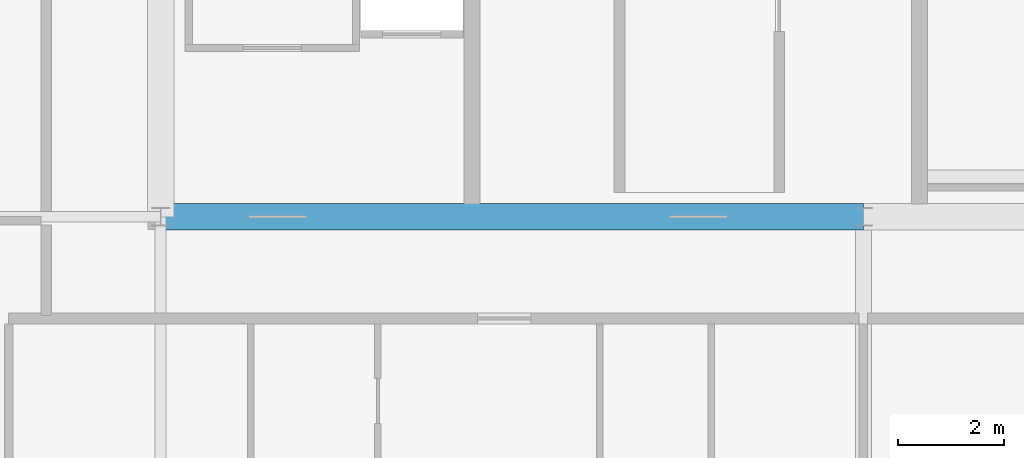
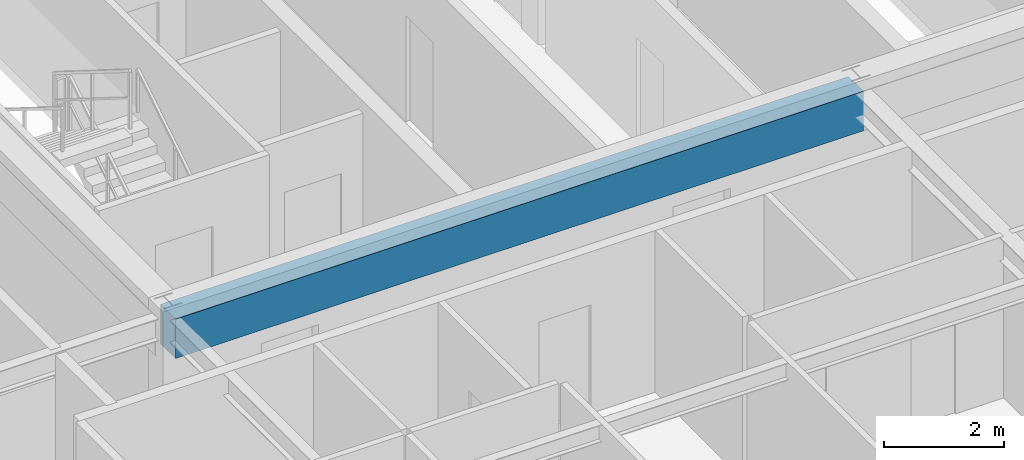
# One storey, part 7 of 34: 1 beam.
"""IFC4 building model written with IfcOpenShell, lengths in metres."""

from ifc_helpers import new_model, si_unit, direction, frame, origin, origin_2d, place, context, subcontext, project, spatial, rectangle, extrude, source, transform, mapped, material, material_profile, profile_set, type_object, element, save


model = new_model("IFC4")

# Units and contexts
model_context = context("Model", 3, precision=1e-05, world=origin(), true_north=direction((0.0, 1.0)))
body_context = subcontext(model_context, "Body", "Model", "MODEL_VIEW")
ifc_project = project(units=[si_unit("LENGTHUNIT", "METRE"), si_unit("AREAUNIT", "SQUARE_METRE"), si_unit("VOLUMEUNIT", "CUBIC_METRE"), si_unit("PLANEANGLEUNIT", "RADIAN"), si_unit("MASSUNIT", "GRAM", prefix="KILO"), si_unit("THERMODYNAMICTEMPERATUREUNIT", "KELVIN"), si_unit("POWERUNIT", "WATT")], contexts=[model_context])

# Site, building, storey
site_placement = place(None, origin())
site = spatial("IfcSite", under=ifc_project, at=site_placement, CompositionType="ELEMENT")
building_placement = place(site_placement, origin())
building = spatial("IfcBuilding", under=site, at=building_placement, Name="Yuzanri Waterfront Tower", CompositionType="ELEMENT")
storey_placement = place(building_placement, frame((0.0, 0.0, 325.199951171875)))
storey = spatial("IfcBuildingStorey", under=building, at=storey_placement, Name="L87", CompositionType="ELEMENT", Elevation=325.199951171875)

# Beam
ifc_material = material(Name="Concrete C50", Category="concrete")
ifc_material_profile = material_profile(ifc_material, rectangle(XDim=0.5, YDim=0.800048828125, at=origin_2d()), Name="RC 500x800")
ifc_profile_set = profile_set([ifc_material_profile], Name="Concrete C50")
beam_type = type_object("IfcBeamType", Name="Core Coupling Lintel Concrete C50 500x800", PredefinedType="LINTEL", material=ifc_profile_set)
shared_shape = source(origin(), body_context, "Body", "SweptSolid", [
    extrude(rectangle(XDim=0.5, YDim=0.800048828125, at=origin_2d()), origin(), (0.0, 0.0, 1.0), 13.199951171875),
])
beam_placement = place(storey_placement, frame((23.800048828125, 19.39990234375, 2.880126953125), z_axis=(1.0, 0.0, 0.0), x_axis=(0.0, 1.0, 0.0)))
element("IfcBeam", 1, at=beam_placement, inside=storey, type_object=beam_type, Name="L87 Core Tie Beam CS1", PredefinedType="LINTEL", context=body_context, shape_type="MappedRepresentation", body=[
    mapped(shared_shape, transform((0.0, 0.0, 0.0), scale=1.0)),
])

save(model, "model.ifc")
